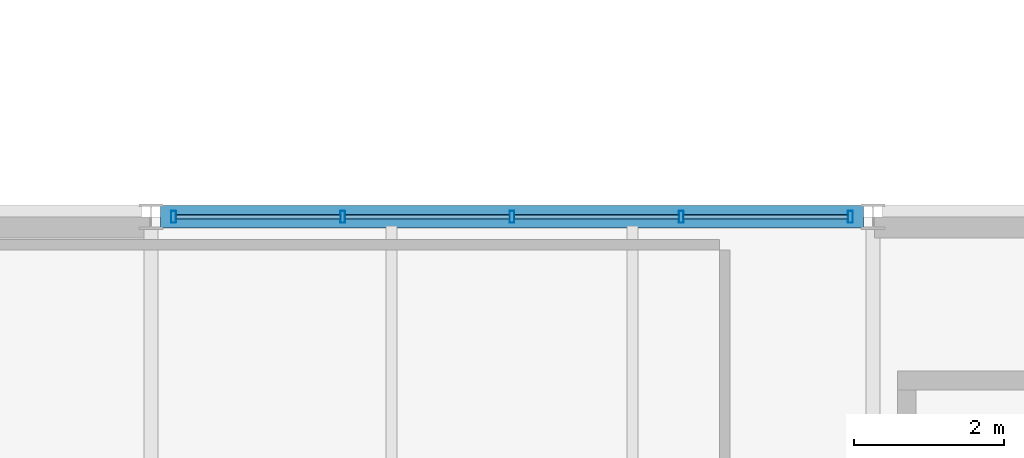
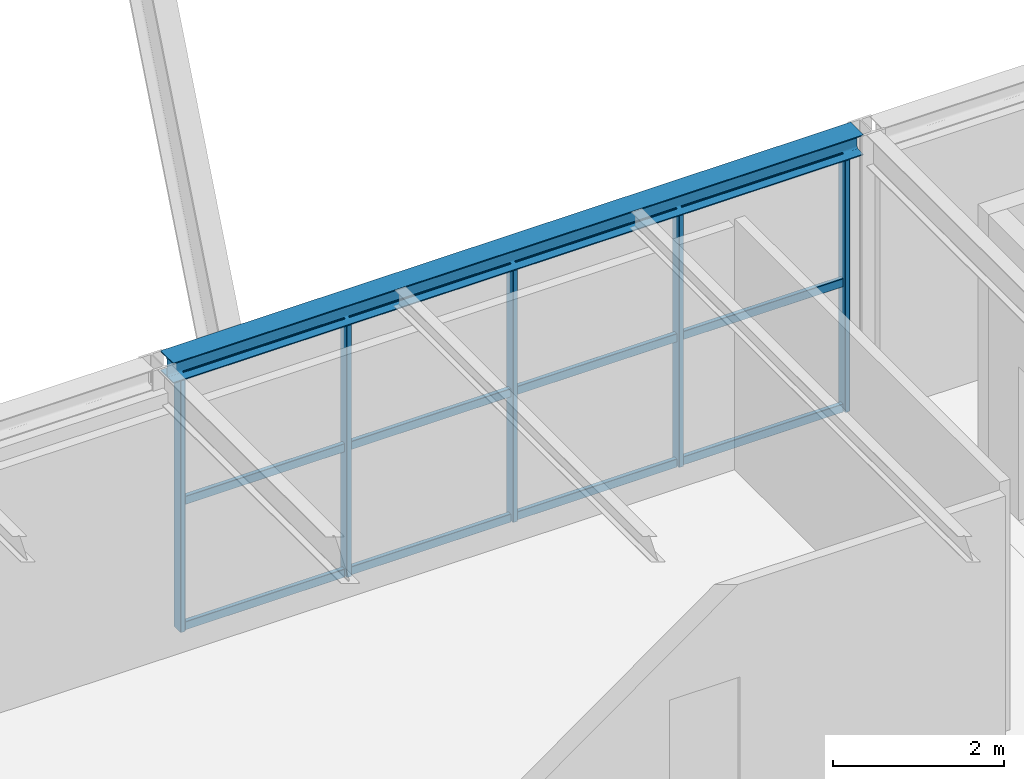
# One storey, part 30 of 126: 17 members, 1 beam, 1 element without a shape of its own.
"""IFC4 building model written with IfcOpenShell, lengths in metres."""

from ifc_helpers import new_model, si_unit, direction, frame, origin, origin_2d, place, context, subcontext, project, spatial, hollow_rectangle, i_section, extrude, material, material_profile, profile_set, type_object, element, aggregate, save


model = new_model("IFC4")

# Units and contexts
model_context = context("Model", 3, precision=1e-05, world=origin(), true_north=direction((0.0, 1.0)))
body_context = subcontext(model_context, "Body", "Model", "MODEL_VIEW")
ifc_project = project(units=[si_unit("LENGTHUNIT", "METRE"), si_unit("AREAUNIT", "SQUARE_METRE"), si_unit("VOLUMEUNIT", "CUBIC_METRE"), si_unit("PLANEANGLEUNIT", "RADIAN"), si_unit("MASSUNIT", "GRAM", prefix="KILO")], contexts=[model_context])

# Site, building, storey
site_placement = place(None, origin())
site = spatial("IfcSite", under=ifc_project, at=site_placement, CompositionType="ELEMENT")
building_placement = place(site_placement, origin())
building = spatial("IfcBuilding", under=site, at=building_placement, Name="Coralgate Yard Interchange", CompositionType="ELEMENT")
storey_placement = place(building_placement, frame((0.0, 0.0, 10.5)))
storey = spatial("IfcBuildingStorey", under=building, at=storey_placement, Name="L02", CompositionType="ELEMENT", Elevation=10.5)

# Beam
ifc_material_1 = material(Name="Structural steel S355J2", Category="steel")
ifc_material_profile_1 = material_profile(ifc_material_1, i_section(OverallWidth=0.300048828125, OverallDepth=0.2900390625, WebThickness=0.008544921875, FlangeThickness=0.013916015625, FilletRadius=0.027099609375, at=origin_2d()), Name="HEA 300")
ifc_profile_set_1 = profile_set([ifc_material_profile_1], Name="Structural steel S355J2")
beam_type = type_object("IfcBeamType", Name="BM-SP-2", PredefinedType="SPANDREL", material=ifc_profile_set_1)
beam_placement = place(storey_placement, frame((38.527099609375, 19.199951171875, 3.804931640625), z_axis=(1.0, 0.0, 0.0), x_axis=(0.0, 1.0, 0.0)))
element("IfcBeam", 1, at=beam_placement, inside=storey, type_object=beam_type, Name="L02 primary grid beam Y2 X4-5", PredefinedType="SPANDREL", context=body_context, shape_type="SweptSolid", body=[
    extrude(i_section(OverallWidth=0.300048828125, OverallDepth=0.2900390625, WebThickness=0.008544921875, FlangeThickness=0.013916015625, FilletRadius=0.027099609375, at=origin_2d()), origin(), (0.0, 0.0, 1.0), 9.345703125),
])

# Curtain wall, members
ifc_material_2 = material(Name="Anodised coastal aluminium and solar-control low-E glass", Category="aluminium")
curtain_wall_type = type_object("IfcCurtainWallType", Name="CW-CW-L02-A", PredefinedType="NOTDEFINED", material=ifc_material_2)
curtain_wall_placement = place(storey_placement, origin())
curtain_wall = element("IfcCurtainWall", 2, at=curtain_wall_placement, inside=storey, type_object=curtain_wall_type, Name="L02 unitised curtain wall CW-L02-N-04-01", PredefinedType="NOTDEFINED")
ifc_material_3 = material(Name="Anodised coastal aluminium 6063-T6", Category="aluminium")
ifc_material_profile_2 = material_profile(ifc_material_3, hollow_rectangle(XDim=0.06494140625, YDim=0.159912109375, WallThickness=0.00390625, InnerFilletRadius=0.00390625, OuterFilletRadius=0.008056640625, at=origin_2d()), Name="ALU 65x160x4")
ifc_profile_set_2 = profile_set([ifc_material_profile_2], Name="Anodised coastal aluminium 6063-T6")
member_type_1 = type_object("IfcMemberType", Name="MB-MUL-160", PredefinedType="MULLION", material=ifc_profile_set_2)
member_1_placement = place(storey_placement, frame((38.699951171875, 19.199951171875, 0.0), z_axis=(0.0, 0.0, 1.0), x_axis=(1.0, 0.0, 0.0)))
member_1 = element("IfcMember", 3, at=member_1_placement, type_object=member_type_1, Name="CW-L02-N-04-01 vertical mullion 1", PredefinedType="MULLION", context=body_context, shape_type="SweptSolid", body=[
    extrude(hollow_rectangle(XDim=0.06494140625, YDim=0.159912109375, WallThickness=0.00390625, InnerFilletRadius=0.00390625, OuterFilletRadius=0.008056640625, at=origin_2d()), origin(), (0.0, 0.0, 1.0), 3.659912109375),
])
member_2_placement = place(storey_placement, frame((40.949951171875, 19.199951171875, 0.0), z_axis=(0.0, 0.0, 1.0), x_axis=(1.0, 0.0, 0.0)))
member_2 = element("IfcMember", 4, at=member_2_placement, type_object=member_type_1, Name="CW-L02-N-04-01 vertical mullion 2", PredefinedType="MULLION", context=body_context, shape_type="SweptSolid", body=[
    extrude(hollow_rectangle(XDim=0.06494140625, YDim=0.159912109375, WallThickness=0.00390625, InnerFilletRadius=0.00390625, OuterFilletRadius=0.008056640625, at=origin_2d()), origin(), (0.0, 0.0, 1.0), 3.659912109375),
])
member_3_placement = place(storey_placement, frame((43.199951171875, 19.199951171875, 0.0), z_axis=(0.0, 0.0, 1.0), x_axis=(1.0, 0.0, 0.0)))
member_3 = element("IfcMember", 5, at=member_3_placement, type_object=member_type_1, Name="CW-L02-N-04-01 vertical mullion 3", PredefinedType="MULLION", context=body_context, shape_type="SweptSolid", body=[
    extrude(hollow_rectangle(XDim=0.06494140625, YDim=0.159912109375, WallThickness=0.00390625, InnerFilletRadius=0.00390625, OuterFilletRadius=0.008056640625, at=origin_2d()), origin(), (0.0, 0.0, 1.0), 3.659912109375),
])
member_4_placement = place(storey_placement, frame((45.449951171875, 19.199951171875, 0.0), z_axis=(0.0, 0.0, 1.0), x_axis=(1.0, 0.0, 0.0)))
member_4 = element("IfcMember", 6, at=member_4_placement, type_object=member_type_1, Name="CW-L02-N-04-01 vertical mullion 4", PredefinedType="MULLION", context=body_context, shape_type="SweptSolid", body=[
    extrude(hollow_rectangle(XDim=0.06494140625, YDim=0.159912109375, WallThickness=0.00390625, InnerFilletRadius=0.00390625, OuterFilletRadius=0.008056640625, at=origin_2d()), origin(), (0.0, 0.0, 1.0), 3.659912109375),
])
member_5_placement = place(storey_placement, frame((47.699951171875, 19.199951171875, 0.0), z_axis=(0.0, 0.0, 1.0), x_axis=(1.0, 0.0, 0.0)))
member_5 = element("IfcMember", 7, at=member_5_placement, type_object=member_type_1, Name="CW-L02-N-04-01 vertical mullion 5", PredefinedType="MULLION", context=body_context, shape_type="SweptSolid", body=[
    extrude(hollow_rectangle(XDim=0.06494140625, YDim=0.159912109375, WallThickness=0.00390625, InnerFilletRadius=0.00390625, OuterFilletRadius=0.008056640625, at=origin_2d()), origin(), (0.0, 0.0, 1.0), 3.659912109375),
])
ifc_material_profile_3 = material_profile(ifc_material_3, hollow_rectangle(XDim=0.06005859375, YDim=0.1201171875, WallThickness=0.00341796875, InnerFilletRadius=0.00341796875, OuterFilletRadius=0.007080078125, at=origin_2d()), Name="ALU 60x120x3.5")
ifc_profile_set_3 = profile_set([ifc_material_profile_3], Name="Anodised coastal aluminium 6063-T6")
member_type_2 = type_object("IfcMemberType", Name="MB-TRN-120", PredefinedType="USERDEFINED", material=ifc_profile_set_3)
member_6_placement = place(storey_placement, frame((38.72998046875, 19.199951171875, 0.034912109375), z_axis=(1.0, 0.0, 0.0), x_axis=(0.0, 1.0, 0.0)))
member_6 = element("IfcMember", 8, at=member_6_placement, type_object=member_type_2, Name="CW-L02-N-04-01 horizontal transom 1-1", ObjectType="TRANSOM", PredefinedType="USERDEFINED", context=body_context, shape_type="SweptSolid", body=[
    extrude(hollow_rectangle(XDim=0.06005859375, YDim=0.1201171875, WallThickness=0.00341796875, InnerFilletRadius=0.00341796875, OuterFilletRadius=0.007080078125, at=origin_2d()), origin(), (0.0, 0.0, 1.0), 2.18994140625),
])
member_7_placement = place(storey_placement, frame((38.72998046875, 19.199951171875, 1.830078125), z_axis=(1.0, 0.0, 0.0), x_axis=(0.0, 1.0, 0.0)))
member_7 = element("IfcMember", 9, at=member_7_placement, type_object=member_type_2, Name="CW-L02-N-04-01 horizontal transom 1-2", ObjectType="TRANSOM", PredefinedType="USERDEFINED", context=body_context, shape_type="SweptSolid", body=[
    extrude(hollow_rectangle(XDim=0.06005859375, YDim=0.1201171875, WallThickness=0.00341796875, InnerFilletRadius=0.00341796875, OuterFilletRadius=0.007080078125, at=origin_2d()), origin(), (0.0, 0.0, 1.0), 2.18994140625),
])
member_8_placement = place(storey_placement, frame((38.72998046875, 19.199951171875, 3.625), z_axis=(1.0, 0.0, 0.0), x_axis=(0.0, 1.0, 0.0)))
member_8 = element("IfcMember", 10, at=member_8_placement, type_object=member_type_2, Name="CW-L02-N-04-01 horizontal transom 1-3", ObjectType="TRANSOM", PredefinedType="USERDEFINED", context=body_context, shape_type="SweptSolid", body=[
    extrude(hollow_rectangle(XDim=0.06005859375, YDim=0.1201171875, WallThickness=0.00341796875, InnerFilletRadius=0.00341796875, OuterFilletRadius=0.007080078125, at=origin_2d()), origin(), (0.0, 0.0, 1.0), 2.18994140625),
])
member_9_placement = place(storey_placement, frame((40.97998046875, 19.199951171875, 0.034912109375), z_axis=(1.0, 0.0, 0.0), x_axis=(0.0, 1.0, 0.0)))
member_9 = element("IfcMember", 11, at=member_9_placement, type_object=member_type_2, Name="CW-L02-N-04-01 horizontal transom 2-1", ObjectType="TRANSOM", PredefinedType="USERDEFINED", context=body_context, shape_type="SweptSolid", body=[
    extrude(hollow_rectangle(XDim=0.06005859375, YDim=0.1201171875, WallThickness=0.00341796875, InnerFilletRadius=0.00341796875, OuterFilletRadius=0.007080078125, at=origin_2d()), origin(), (0.0, 0.0, 1.0), 2.18994140625),
])
member_10_placement = place(storey_placement, frame((40.97998046875, 19.199951171875, 1.830078125), z_axis=(1.0, 0.0, 0.0), x_axis=(0.0, 1.0, 0.0)))
member_10 = element("IfcMember", 12, at=member_10_placement, type_object=member_type_2, Name="CW-L02-N-04-01 horizontal transom 2-2", ObjectType="TRANSOM", PredefinedType="USERDEFINED", context=body_context, shape_type="SweptSolid", body=[
    extrude(hollow_rectangle(XDim=0.06005859375, YDim=0.1201171875, WallThickness=0.00341796875, InnerFilletRadius=0.00341796875, OuterFilletRadius=0.007080078125, at=origin_2d()), origin(), (0.0, 0.0, 1.0), 2.18994140625),
])
member_11_placement = place(storey_placement, frame((40.97998046875, 19.199951171875, 3.625), z_axis=(1.0, 0.0, 0.0), x_axis=(0.0, 1.0, 0.0)))
member_11 = element("IfcMember", 13, at=member_11_placement, type_object=member_type_2, Name="CW-L02-N-04-01 horizontal transom 2-3", ObjectType="TRANSOM", PredefinedType="USERDEFINED", context=body_context, shape_type="SweptSolid", body=[
    extrude(hollow_rectangle(XDim=0.06005859375, YDim=0.1201171875, WallThickness=0.00341796875, InnerFilletRadius=0.00341796875, OuterFilletRadius=0.007080078125, at=origin_2d()), origin(), (0.0, 0.0, 1.0), 2.18994140625),
])
member_12_placement = place(storey_placement, frame((43.22998046875, 19.199951171875, 0.034912109375), z_axis=(1.0, 0.0, 0.0), x_axis=(0.0, 1.0, 0.0)))
member_12 = element("IfcMember", 14, at=member_12_placement, type_object=member_type_2, Name="CW-L02-N-04-01 horizontal transom 3-1", ObjectType="TRANSOM", PredefinedType="USERDEFINED", context=body_context, shape_type="SweptSolid", body=[
    extrude(hollow_rectangle(XDim=0.06005859375, YDim=0.1201171875, WallThickness=0.00341796875, InnerFilletRadius=0.00341796875, OuterFilletRadius=0.007080078125, at=origin_2d()), origin(), (0.0, 0.0, 1.0), 2.18994140625),
])
member_13_placement = place(storey_placement, frame((43.22998046875, 19.199951171875, 1.830078125), z_axis=(1.0, 0.0, 0.0), x_axis=(0.0, 1.0, 0.0)))
member_13 = element("IfcMember", 15, at=member_13_placement, type_object=member_type_2, Name="CW-L02-N-04-01 horizontal transom 3-2", ObjectType="TRANSOM", PredefinedType="USERDEFINED", context=body_context, shape_type="SweptSolid", body=[
    extrude(hollow_rectangle(XDim=0.06005859375, YDim=0.1201171875, WallThickness=0.00341796875, InnerFilletRadius=0.00341796875, OuterFilletRadius=0.007080078125, at=origin_2d()), origin(), (0.0, 0.0, 1.0), 2.18994140625),
])
member_14_placement = place(storey_placement, frame((43.22998046875, 19.199951171875, 3.625), z_axis=(1.0, 0.0, 0.0), x_axis=(0.0, 1.0, 0.0)))
member_14 = element("IfcMember", 16, at=member_14_placement, type_object=member_type_2, Name="CW-L02-N-04-01 horizontal transom 3-3", ObjectType="TRANSOM", PredefinedType="USERDEFINED", context=body_context, shape_type="SweptSolid", body=[
    extrude(hollow_rectangle(XDim=0.06005859375, YDim=0.1201171875, WallThickness=0.00341796875, InnerFilletRadius=0.00341796875, OuterFilletRadius=0.007080078125, at=origin_2d()), origin(), (0.0, 0.0, 1.0), 2.18994140625),
])
member_15_placement = place(storey_placement, frame((45.47998046875, 19.199951171875, 0.034912109375), z_axis=(1.0, 0.0, 0.0), x_axis=(0.0, 1.0, 0.0)))
member_15 = element("IfcMember", 17, at=member_15_placement, type_object=member_type_2, Name="CW-L02-N-04-01 horizontal transom 4-1", ObjectType="TRANSOM", PredefinedType="USERDEFINED", context=body_context, shape_type="SweptSolid", body=[
    extrude(hollow_rectangle(XDim=0.06005859375, YDim=0.1201171875, WallThickness=0.00341796875, InnerFilletRadius=0.00341796875, OuterFilletRadius=0.007080078125, at=origin_2d()), origin(), (0.0, 0.0, 1.0), 2.18994140625),
])
member_16_placement = place(storey_placement, frame((45.47998046875, 19.199951171875, 1.830078125), z_axis=(1.0, 0.0, 0.0), x_axis=(0.0, 1.0, 0.0)))
member_16 = element("IfcMember", 18, at=member_16_placement, type_object=member_type_2, Name="CW-L02-N-04-01 horizontal transom 4-2", ObjectType="TRANSOM", PredefinedType="USERDEFINED", context=body_context, shape_type="SweptSolid", body=[
    extrude(hollow_rectangle(XDim=0.06005859375, YDim=0.1201171875, WallThickness=0.00341796875, InnerFilletRadius=0.00341796875, OuterFilletRadius=0.007080078125, at=origin_2d()), origin(), (0.0, 0.0, 1.0), 2.18994140625),
])
member_17_placement = place(storey_placement, frame((45.47998046875, 19.199951171875, 3.625), z_axis=(1.0, 0.0, 0.0), x_axis=(0.0, 1.0, 0.0)))
member_17 = element("IfcMember", 19, at=member_17_placement, type_object=member_type_2, Name="CW-L02-N-04-01 horizontal transom 4-3", ObjectType="TRANSOM", PredefinedType="USERDEFINED", context=body_context, shape_type="SweptSolid", body=[
    extrude(hollow_rectangle(XDim=0.06005859375, YDim=0.1201171875, WallThickness=0.00341796875, InnerFilletRadius=0.00341796875, OuterFilletRadius=0.007080078125, at=origin_2d()), origin(), (0.0, 0.0, 1.0), 2.18994140625),
])
aggregate(curtain_wall, [member_1, member_2, member_3, member_4, member_5, member_6, member_7, member_8, member_9, member_10, member_11, member_12, member_13, member_14, member_15, member_16, member_17])

save(model, "model.ifc")
